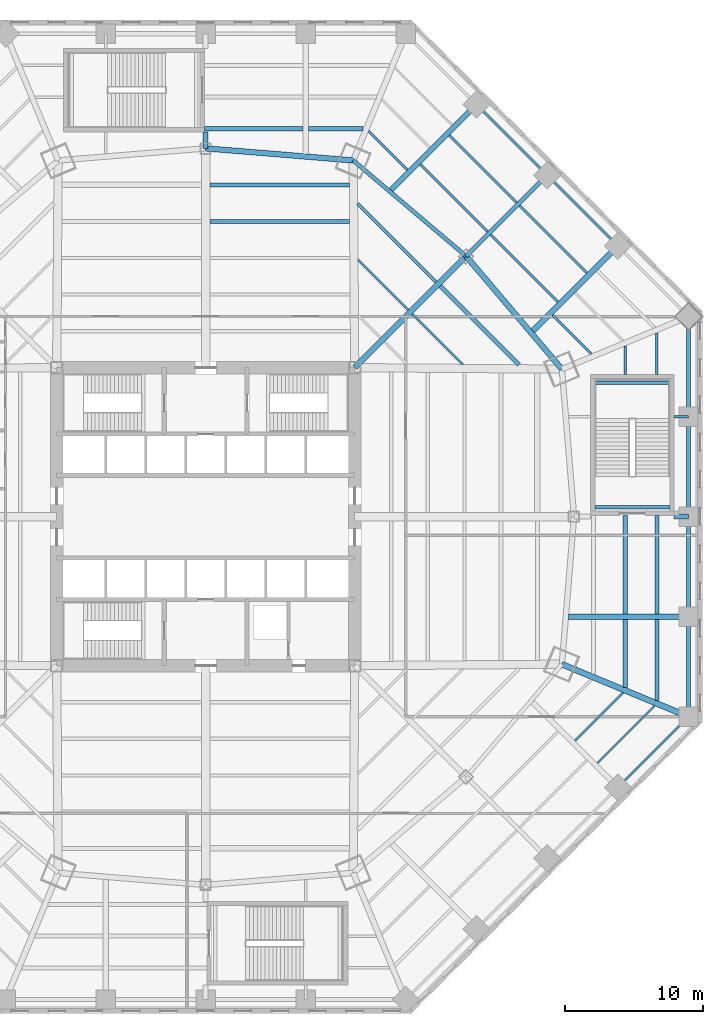
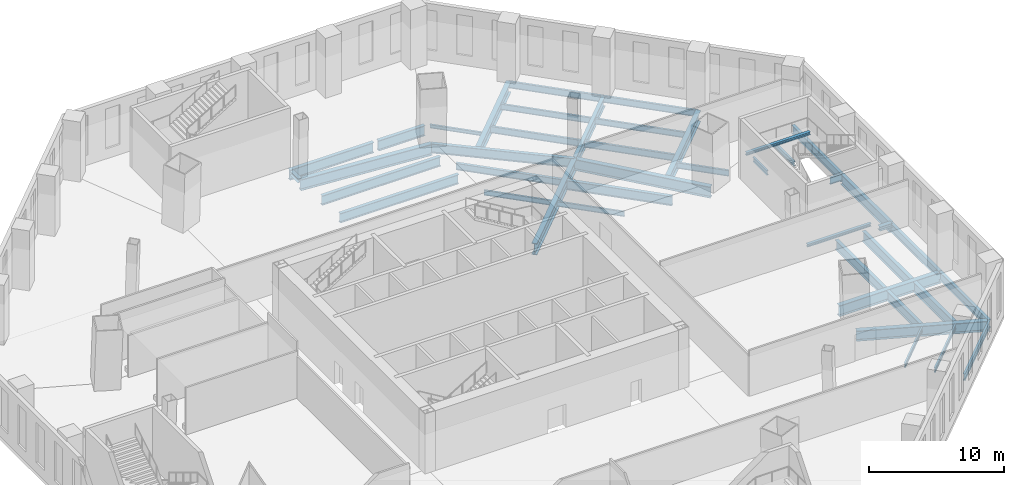
# One storey, part 5 of 18: 40 beams, 3 members.
"""IFC4 building model written with IfcOpenShell, lengths in metres."""

from ifc_helpers import new_model, si_unit, direction, frame, origin, origin_2d, place, context, subcontext, project, spatial, i_section, extrude, source, transform, mapped, material, material_profile, profile_set, type_object, type_shapes, element, save


model = new_model("IFC4")

# Units and contexts
model_context = context("Model", 3, precision=1e-05, world=origin(), true_north=direction((0.0, 1.0)))
body_context = subcontext(model_context, "Body", "Model", "MODEL_VIEW")
ifc_project = project(units=[si_unit("LENGTHUNIT", "METRE"), si_unit("AREAUNIT", "SQUARE_METRE"), si_unit("VOLUMEUNIT", "CUBIC_METRE"), si_unit("PLANEANGLEUNIT", "RADIAN"), si_unit("MASSUNIT", "GRAM", prefix="KILO")], contexts=[model_context])

# Site, building, storey
site_placement = place(None, origin())
site = spatial("IfcSite", under=ifc_project, at=site_placement, CompositionType="ELEMENT")
building_placement = place(site_placement, origin())
building = spatial("IfcBuilding", under=site, at=building_placement, Name="Mashrafa Tower", CompositionType="ELEMENT")
storey_placement = place(building_placement, frame((0.0, 0.0, 18.60009765625)))
storey = spatial("IfcBuildingStorey", under=building, at=storey_placement, Name="L03", CompositionType="ELEMENT", Elevation=18.60009765625)

# Beams
ifc_material_1 = material(Name="Steel ASTM A992", Category="steel")
ifc_material_profile_1 = material_profile(ifc_material_1, i_section(OverallWidth=0.164794921875, OverallDepth=0.309814453125, WebThickness=0.005859375, FlangeThickness=0.009765625, FilletRadius=0.007568359375, at=origin_2d()), Name="W12X26")
ifc_profile_set_1 = profile_set([ifc_material_profile_1], Name="Steel ASTM A992")
beam_type_1 = type_object("IfcBeamType", Name="Beam W12X26", PredefinedType="BEAM", material=ifc_profile_set_1)
beam_1_placement = place(storey_placement, frame((11.8056640625, 27.95361328125, -0.455078125), z_axis=(0.707106781187, -0.707106781187, 0.0), x_axis=(0.707106781187, 0.707106781187, 0.0)))
element("IfcBeam", 1, at=beam_1_placement, inside=storey, type_object=beam_type_1, Name="Floor beam L03 079", PredefinedType="BEAM", context=body_context, shape_type="SweptSolid", body=[
    extrude(i_section(OverallWidth=0.164794921875, OverallDepth=0.309814453125, WebThickness=0.005859375, FlangeThickness=0.009765625, FilletRadius=0.007568359375, at=origin_2d()), origin(), (0.0, 0.0, 1.0), 3.96875),
])
ifc_material_2 = material(Name="Steel ASTM A992", Category="steel")
ifc_material_profile_2 = material_profile(ifc_material_2, i_section(OverallWidth=0.140380859375, OverallDepth=0.40380859375, WebThickness=0.007080078125, FlangeThickness=0.01123046875, FilletRadius=0.01025390625, at=origin_2d()), Name="W16X31")
ifc_profile_set_2 = profile_set([ifc_material_profile_2], Name="Steel ASTM A992")
beam_type_2 = type_object("IfcBeamType", Name="Beam W16X31", PredefinedType="BEAM", material=ifc_profile_set_2)
beam_2_placement = place(storey_placement, frame((30.2490234375, -12.75634765625, -0.501953125), z_axis=(-0.707106781187, -0.707106781187, 0.0), x_axis=(0.707106781187, -0.707106781187, 0.0)))
element("IfcBeam", 2, at=beam_2_placement, inside=storey, type_object=beam_type_2, Name="Floor beam L03 119", PredefinedType="BEAM", context=body_context, shape_type="SweptSolid", body=[
    extrude(i_section(OverallWidth=0.140380859375, OverallDepth=0.40380859375, WebThickness=0.007080078125, FlangeThickness=0.01123046875, FilletRadius=0.01025390625, at=origin_2d()), origin(), (0.0, 0.0, 1.0), 4.919677734375),
])
beam_3_placement = place(storey_placement, frame((32.544189453125, -13.70703125, -0.501953125), z_axis=(-0.707085986681, -0.707127575081, 0.0), x_axis=(0.707127575081, -0.707085986681, 0.0)))
element("IfcBeam", 3, at=beam_3_placement, inside=storey, type_object=beam_type_2, Name="Floor beam L03 122", PredefinedType="BEAM", context=body_context, shape_type="SweptSolid", body=[
    extrude(i_section(OverallWidth=0.140380859375, OverallDepth=0.40380859375, WebThickness=0.007080078125, FlangeThickness=0.01123046875, FilletRadius=0.01025390625, at=origin_2d()), origin(), (0.0, 0.0, 1.0), 5.870361328125),
])
ifc_material_3 = material(Name="Steel ASTM A992", Category="steel")
ifc_material_profile_3 = material_profile(ifc_material_3, i_section(OverallWidth=0.177734375, OverallDepth=0.406494140625, WebThickness=0.0078125, FlangeThickness=0.012939453125, FilletRadius=0.01025390625, at=origin_2d()), Name="W16X40")
ifc_profile_set_3 = profile_set([ifc_material_profile_3], Name="Steel ASTM A992")
beam_type_3 = type_object("IfcBeamType", Name="Beam W16X40", PredefinedType="BEAM", material=ifc_profile_set_3)
beam_4_placement = place(storey_placement, frame((30.409423828125, 12.37890625, -0.50341796875), z_axis=(0.0, -1.0, 0.0), x_axis=(1.0, 0.0, 0.0)))
element("IfcBeam", 4, at=beam_4_placement, inside=storey, type_object=beam_type_3, Name="Floor beam L03 121", PredefinedType="BEAM", context=body_context, shape_type="SweptSolid", body=[
    extrude(i_section(OverallWidth=0.177734375, OverallDepth=0.406494140625, WebThickness=0.0078125, FlangeThickness=0.012939453125, FilletRadius=0.01025390625, at=origin_2d()), origin(), (0.0, 0.0, 1.0), 2.078857421875),
])
beam_5_placement = place(storey_placement, frame((32.70458984375, 13.32958984375, -0.50341796875), z_axis=(0.0, -1.0, 0.0), x_axis=(1.0, 0.0, 0.0)))
element("IfcBeam", 5, at=beam_5_placement, inside=storey, type_object=beam_type_3, Name="Floor beam L03 124", PredefinedType="BEAM", context=body_context, shape_type="SweptSolid", body=[
    extrude(i_section(OverallWidth=0.177734375, OverallDepth=0.406494140625, WebThickness=0.0078125, FlangeThickness=0.012939453125, FilletRadius=0.01025390625, at=origin_2d()), origin(), (0.0, 0.0, 1.0), 3.029541015625),
])
ifc_material_4 = material(Name="Steel ASTM A992", Category="steel")
ifc_material_profile_4 = material_profile(ifc_material_4, i_section(OverallWidth=0.15234375, OverallDepth=0.449462890625, WebThickness=0.007568359375, FlangeThickness=0.0107421875, FilletRadius=0.01025390625, at=origin_2d()), Name="W18X35")
ifc_profile_set_4 = profile_set([ifc_material_profile_4], Name="Steel ASTM A992")
beam_type_4 = type_object("IfcBeamType", Name="Beam W18X35", PredefinedType="BEAM", material=ifc_profile_set_4)
for number, where, z_axis, x_axis, name in (
    (6, (11.044921875, 18.6328125, -0.52490234375), (0.707106781187, -0.707106781187, 0.0), (0.707106781187, 0.707106781187, 0.0), "Floor beam L03 074"),
    (7, (14.9833984375, 14.6943359375, -0.52490234375), (0.707106781187, -0.707106781187, 0.0), (0.707106781187, 0.707106781187, 0.0), "Floor beam L03 090"),
):
    element("IfcBeam", number, at=place(storey_placement, frame(where, z_axis=z_axis, x_axis=x_axis)), inside=storey, type_object=beam_type_4, Name=name, PredefinedType="BEAM", context=body_context, shape_type="SweptSolid", body=[
        extrude(i_section(OverallWidth=0.15234375, OverallDepth=0.449462890625, WebThickness=0.007568359375, FlangeThickness=0.0107421875, FilletRadius=0.01025390625, at=origin_2d()), origin(), (0.0, 0.0, 1.0), 5.1611328125),
    ])
ifc_material_5 = material(Name="Steel ASTM A992", Category="steel")
ifc_material_profile_5 = material_profile(ifc_material_5, i_section(OverallWidth=0.1650390625, OverallDepth=0.52587890625, WebThickness=0.0087890625, FlangeThickness=0.011474609375, FilletRadius=0.0126953125, at=origin_2d()), Name="W21X44")
ifc_profile_set_5 = profile_set([ifc_material_profile_5], Name="Steel ASTM A992")
beam_type_5 = type_object("IfcBeamType", Name="Beam W21X44", PredefinedType="BEAM", material=ifc_profile_set_5)
for number, where, z_axis, x_axis, name in (
    (8, (17.667724609375, 27.63525390625, -0.56298828125), (0.707089075409, -0.707124486521, 0.0), (0.707124486521, 0.707089075409, 0.0), "Floor beam L03 098"),
    (9, (22.760009765625, 22.542724609375, -0.56298828125), (0.707124486521, -0.707089075409, 0.0), (0.707089075409, 0.707124486521, 0.0), "Floor beam L03 108"),
):
    element("IfcBeam", number, at=place(storey_placement, frame(where, z_axis=z_axis, x_axis=x_axis)), inside=storey, type_object=beam_type_5, Name=name, PredefinedType="BEAM", context=body_context, shape_type="SweptSolid", body=[
        extrude(i_section(OverallWidth=0.1650390625, OverallDepth=0.52587890625, WebThickness=0.0087890625, FlangeThickness=0.011474609375, FilletRadius=0.0126953125, at=origin_2d()), origin(), (0.0, 0.0, 1.0), 6.89453125),
    ])
ifc_material_6 = material(Name="Steel ASTM A992", Category="steel")
ifc_material_profile_6 = material_profile(ifc_material_6, i_section(OverallWidth=0.165771484375, OverallDepth=0.5283203125, WebThickness=0.009765625, FlangeThickness=0.013671875, FilletRadius=0.012939453125, at=origin_2d()), Name="W21X50")
ifc_profile_set_6 = profile_set([ifc_material_profile_6], Name="Steel ASTM A992")
beam_type_6 = type_object("IfcBeamType", Name="Beam W21X50", PredefinedType="BEAM", material=ifc_profile_set_6)
beam_6_placement = place(storey_placement, frame((25.147216796875, 14.612060546875, -0.564208984375), z_axis=(0.707106781187, -0.707106781187, 0.0), x_axis=(0.707106781187, 0.707106781187, 0.0)))
element("IfcBeam", 10, at=beam_6_placement, inside=storey, type_object=beam_type_6, Name="Floor beam L03 112", PredefinedType="BEAM", context=body_context, shape_type="SweptSolid", body=[
    extrude(i_section(OverallWidth=0.165771484375, OverallDepth=0.5283203125, WebThickness=0.009765625, FlangeThickness=0.013671875, FilletRadius=0.012939453125, at=origin_2d()), origin(), (0.0, 0.0, 1.0), 3.978515625),
])
ifc_material_7 = material(Name="Steel ASTM A992", Category="steel")
ifc_material_profile_7 = material_profile(ifc_material_7, i_section(OverallWidth=0.177978515625, OverallDepth=0.599365234375, WebThickness=0.010009765625, FlangeThickness=0.012939453125, FilletRadius=0.012939453125, at=origin_2d()), Name="W24X55")
ifc_profile_set_7 = profile_set([ifc_material_profile_7], Name="Steel ASTM A992")
beam_type_7 = type_object("IfcBeamType", Name="Beam W24X55", PredefinedType="BEAM", material=ifc_profile_set_7)
for number, where, z_axis, x_axis, name in (
    (11, (15.5703125, 25.537841796875, -0.599853515625), (0.707106781187, -0.707106781187, 0.0), (0.707106781187, 0.707106781187, 0.0), "Floor beam L03 092"),
    (12, (20.662841796875, 20.4453125, -0.599853515625), (0.707106781187, -0.707106781187, 0.0), (0.707106781187, 0.707106781187, 0.0), "Floor beam L03 104"),
):
    element("IfcBeam", number, at=place(storey_placement, frame(where, z_axis=z_axis, x_axis=x_axis)), inside=storey, type_object=beam_type_7, Name=name, PredefinedType="BEAM", context=body_context, shape_type="SweptSolid", body=[
        extrude(i_section(OverallWidth=0.177978515625, OverallDepth=0.599365234375, WebThickness=0.010009765625, FlangeThickness=0.012939453125, FilletRadius=0.012939453125, at=origin_2d()), origin(), (0.0, 0.0, 1.0), 6.894287109375),
    ])
beam_7_placement = place(storey_placement, frame((24.748779296875, 24.748779296875, -0.599853515625), z_axis=(-0.707106781187, 0.707106781187, 0.0), x_axis=(-0.707106781187, -0.707106781187, 0.0)))
element("IfcBeam", 13, at=beam_7_placement, inside=storey, type_object=beam_type_7, Name="Podium edge beam L03 149", PredefinedType="BEAM", context=body_context, shape_type="SweptSolid", body=[
    extrude(i_section(OverallWidth=0.177978515625, OverallDepth=0.599365234375, WebThickness=0.010009765625, FlangeThickness=0.012939453125, FilletRadius=0.012939453125, at=origin_2d()), origin(), (0.0, 0.0, 1.0), 7.248779296875),
])
beam_8_placement = place(storey_placement, frame((29.87451171875, -19.623046875, -0.599853515625), z_axis=(0.707106781187, 0.707106781187, 0.0), x_axis=(-0.707106781187, 0.707106781187, 0.0)))
element("IfcBeam", 14, at=beam_8_placement, inside=storey, type_object=beam_type_7, Name="Podium edge beam L03 150", PredefinedType="BEAM", context=body_context, shape_type="SweptSolid", body=[
    extrude(i_section(OverallWidth=0.177978515625, OverallDepth=0.599365234375, WebThickness=0.010009765625, FlangeThickness=0.012939453125, FilletRadius=0.012939453125, at=origin_2d()), origin(), (0.0, 0.0, 1.0), 7.24853515625),
])
beam_9_placement = place(storey_placement, frame((29.87451171875, 19.623046875, -0.599853515625), z_axis=(-0.707106781187, 0.707106781187, 0.0), x_axis=(-0.707106781187, -0.707106781187, 0.0)))
element("IfcBeam", 15, at=beam_9_placement, inside=storey, type_object=beam_type_7, Name="Podium edge beam L03 151", PredefinedType="BEAM", context=body_context, shape_type="SweptSolid", body=[
    extrude(i_section(OverallWidth=0.177978515625, OverallDepth=0.599365234375, WebThickness=0.010009765625, FlangeThickness=0.012939453125, FilletRadius=0.012939453125, at=origin_2d()), origin(), (0.0, 0.0, 1.0), 7.248779296875),
])
ifc_material_8 = material(Name="Steel ASTM A992", Category="steel")
ifc_material_profile_8 = material_profile(ifc_material_8, i_section(OverallWidth=0.227783203125, OverallDepth=0.60205078125, WebThickness=0.010498046875, FlangeThickness=0.014892578125, FilletRadius=0.012939453125, at=origin_2d()), Name="W24X68")
ifc_profile_set_8 = profile_set([ifc_material_profile_8], Name="Steel ASTM A992")
beam_type_8 = type_object("IfcBeamType", Name="Beam W24X68", PredefinedType="BEAM", material=ifc_profile_set_8)
beam_10_placement = place(storey_placement, frame((11.016357421875, 22.7001953125, -0.60107421875), z_axis=(0.707106781187, -0.707106781187, 0.0), x_axis=(0.707106781187, 0.707106781187, 0.0)))
element("IfcBeam", 16, at=beam_10_placement, inside=storey, type_object=beam_type_8, Name="Floor beam L03 072", PredefinedType="BEAM", context=body_context, shape_type="SweptSolid", body=[
    extrude(i_section(OverallWidth=0.227783203125, OverallDepth=0.60205078125, WebThickness=0.010498046875, FlangeThickness=0.014892578125, FilletRadius=0.012939453125, at=origin_2d()), origin(), (0.0, 0.0, 1.0), 8.05712890625),
])
ifc_material_9 = material(Name="Steel ASTM A992", Category="steel")
ifc_material_profile_9 = material_profile(ifc_material_9, i_section(OverallWidth=0.2666015625, OverallDepth=0.75439453125, WebThickness=0.01318359375, FlangeThickness=0.01708984375, FilletRadius=0.0166015625, at=origin_2d()), Name="W30X99")
ifc_profile_set_9 = profile_set([ifc_material_profile_9], Name="Steel ASTM A992")
beam_type_9 = type_object("IfcBeamType", Name="Beam W30X99", PredefinedType="BEAM", material=ifc_profile_set_9)
for number, where, z_axis, x_axis, name in (
    (17, (35.0, -14.49755859375, -0.67724609375), (0.0, 1.0, 0.0), (-1.0, 0.0, 0.0), "Podium edge beam L03 152"),
    (18, (35.0, -7.248779296875, -0.67724609375), (0.0, 1.0, 0.0), (-1.0, 0.0, 0.0), "Podium edge beam L03 153"),
    (19, (35.0, 7.248779296875, -0.67724609375), (0.0, 1.0, 0.0), (-1.0, 0.0, 0.0), "Podium edge beam L03 155"),
):
    element("IfcBeam", number, at=place(storey_placement, frame(where, z_axis=z_axis, x_axis=x_axis)), inside=storey, type_object=beam_type_9, Name=name, PredefinedType="BEAM", context=body_context, shape_type="SweptSolid", body=[
        extrude(i_section(OverallWidth=0.2666015625, OverallDepth=0.75439453125, WebThickness=0.01318359375, FlangeThickness=0.01708984375, FilletRadius=0.0166015625, at=origin_2d()), origin(), (0.0, 0.0, 1.0), 7.248779296875),
    ])
ifc_material_10 = material(Name="Steel ASTM A992", Category="steel")
ifc_material_profile_10 = material_profile(ifc_material_10, i_section(OverallWidth=0.2919921875, OverallDepth=0.8408203125, WebThickness=0.0146484375, FlangeThickness=0.021728515625, FilletRadius=0.017333984375, at=origin_2d()), Name="W33X130")
ifc_profile_set_10 = profile_set([ifc_material_profile_10], Name="Steel ASTM A992")
beam_type_10 = type_object("IfcBeamType", Name="Beam W33X130", PredefinedType="BEAM", material=ifc_profile_set_10)
beam_11_placement = place(storey_placement, frame((17.0029296875, 16.713623046875, -0.720458984375), z_axis=(0.707106781187, -0.707106781187, 0.0), x_axis=(0.707106781187, 0.707106781187, 0.0)))
element("IfcBeam", 20, at=beam_11_placement, inside=storey, type_object=beam_type_10, Name="Floor beam L03 097", PredefinedType="BEAM", context=body_context, shape_type="SweptSolid", body=[
    extrude(i_section(OverallWidth=0.2919921875, OverallDepth=0.8408203125, WebThickness=0.0146484375, FlangeThickness=0.021728515625, FilletRadius=0.017333984375, at=origin_2d()), origin(), (0.0, 0.0, 1.0), 8.05712890625),
])
beam_12_placement = place(storey_placement, frame((18.877685546875, 18.877685546875, -0.720458984375), z_axis=(-0.762604702856, 0.646864798225, 0.0), x_axis=(-0.646864798225, -0.762604702856, 0.0)))
element("IfcBeam", 21, at=beam_12_placement, inside=storey, type_object=beam_type_10, Name="Podium ring girder L03 209", PredefinedType="BEAM", context=body_context, shape_type="SweptSolid", body=[
    extrude(i_section(OverallWidth=0.2919921875, OverallDepth=0.8408203125, WebThickness=0.0146484375, FlangeThickness=0.021728515625, FilletRadius=0.017333984375, at=origin_2d()), origin(), (0.0, 0.0, 1.0), 10.73046875),
])
ifc_material_11 = material(Name="Steel ASTM A992", Category="steel")
ifc_material_profile_11 = material_profile(ifc_material_11, i_section(OverallWidth=0.2919921875, OverallDepth=0.845703125, WebThickness=0.015380859375, FlangeThickness=0.0244140625, FilletRadius=0.017333984375, at=origin_2d()), Name="W33X141")
ifc_profile_set_11 = profile_set([ifc_material_profile_11], Name="Steel ASTM A992")
beam_type_11 = type_object("IfcBeamType", Name="Beam W33X141", PredefinedType="BEAM", material=ifc_profile_set_11)
beam_13_placement = place(storey_placement, frame((0.300048828125, 21.39794921875, -0.722900390625), z_axis=(1.0, 0.0, 0.0), x_axis=(0.0, 1.0, 0.0)))
element("IfcBeam", 22, at=beam_13_placement, inside=storey, type_object=beam_type_11, Name="Floor beam L03 066", PredefinedType="BEAM", context=body_context, shape_type="SweptSolid", body=[
    extrude(i_section(OverallWidth=0.2919921875, OverallDepth=0.845703125, WebThickness=0.015380859375, FlangeThickness=0.0244140625, FilletRadius=0.017333984375, at=origin_2d()), origin(), (0.0, 0.0, 1.0), 10.12548828125),
])
ifc_material_12 = material(Name="Steel ASTM A992", Category="steel")
ifc_material_profile_12 = material_profile(ifc_material_12, i_section(OverallWidth=0.2919921875, OverallDepth=0.8583984375, WebThickness=0.01708984375, FlangeThickness=0.031005859375, FilletRadius=0.017822265625, at=origin_2d()), Name="W33X169")
ifc_profile_set_12 = profile_set([ifc_material_profile_12], Name="Steel ASTM A992")
beam_type_12 = type_object("IfcBeamType", Name="Beam W33X169", PredefinedType="BEAM", material=ifc_profile_set_12)
beam_14_placement = place(storey_placement, frame((0.300048828125, 24.047607421875, -0.729248046875), z_axis=(1.0, 0.0, 0.0), x_axis=(0.0, 1.0, 0.0)))
element("IfcBeam", 23, at=beam_14_placement, inside=storey, type_object=beam_type_12, Name="Floor beam L03 067", PredefinedType="BEAM", context=body_context, shape_type="SweptSolid", body=[
    extrude(i_section(OverallWidth=0.2919921875, OverallDepth=0.8583984375, WebThickness=0.01708984375, FlangeThickness=0.031005859375, FilletRadius=0.017822265625, at=origin_2d()), origin(), (0.0, 0.0, 1.0), 10.10693359375),
])
beam_15_placement = place(storey_placement, frame((30.409423828125, 0.10009765625, -0.729248046875), z_axis=(0.0, -1.0, 0.0), x_axis=(1.0, 0.0, 0.0)))
element("IfcBeam", 24, at=beam_15_placement, inside=storey, type_object=beam_type_12, Name="Floor beam L03 120 part 1", PredefinedType="BEAM", context=body_context, shape_type="SweptSolid", body=[
    extrude(i_section(OverallWidth=0.2919921875, OverallDepth=0.8583984375, WebThickness=0.01708984375, FlangeThickness=0.031005859375, FilletRadius=0.017822265625, at=origin_2d()), origin(), (0.0, 0.0, 1.0), 7.148193359375),
])
beam_16_placement = place(storey_placement, frame((30.409423828125, -7.449462890625, -0.729248046875), z_axis=(0.0, -1.0, 0.0), x_axis=(1.0, 0.0, 0.0)))
element("IfcBeam", 25, at=beam_16_placement, inside=storey, type_object=beam_type_12, Name="Floor beam L03 120 part 2", PredefinedType="BEAM", context=body_context, shape_type="SweptSolid", body=[
    extrude(i_section(OverallWidth=0.2919921875, OverallDepth=0.8583984375, WebThickness=0.01708984375, FlangeThickness=0.031005859375, FilletRadius=0.017822265625, at=origin_2d()), origin(), (0.0, 0.0, 1.0), 4.919677734375),
])
ifc_material_13 = material(Name="Steel ASTM A992", Category="steel")
ifc_material_profile_13 = material_profile(ifc_material_13, i_section(OverallWidth=0.3046875, OverallDepth=0.911865234375, WebThickness=0.015869140625, FlangeThickness=0.02392578125, FilletRadius=0.01904296875, at=origin_2d()), Name="W36X150")
ifc_profile_set_13 = profile_set([ifc_material_profile_13], Name="Steel ASTM A992")
beam_type_13 = type_object("IfcBeamType", Name="Beam W36X150", PredefinedType="BEAM", material=ifc_profile_set_13)
beam_17_placement = place(storey_placement, frame((35.0, 0.0, -0.756103515625), z_axis=(0.0, 1.0, 0.0), x_axis=(-1.0, 0.0, 0.0)))
element("IfcBeam", 26, at=beam_17_placement, inside=storey, type_object=beam_type_13, Name="Podium edge beam L03 154", PredefinedType="BEAM", context=body_context, shape_type="SweptSolid", body=[
    extrude(i_section(OverallWidth=0.3046875, OverallDepth=0.911865234375, WebThickness=0.015869140625, FlangeThickness=0.02392578125, FilletRadius=0.01904296875, at=origin_2d()), origin(), (0.0, 0.0, 1.0), 7.248779296875),
])
ifc_material_14 = material(Name="Steel ASTM A992", Category="steel")
ifc_material_profile_14 = material_profile(ifc_material_14, i_section(OverallWidth=0.307373046875, OverallDepth=0.927001953125, WebThickness=0.01953125, FlangeThickness=0.031982421875, FilletRadius=0.01904296875, at=origin_2d()), Name="W36X194")
ifc_profile_set_14 = profile_set([ifc_material_profile_14], Name="Steel ASTM A992")
beam_type_14 = type_object("IfcBeamType", Name="Beam W36X194", PredefinedType="BEAM", material=ifc_profile_set_14)
beam_18_placement = place(storey_placement, frame((-0.10009765625, 28.114013671875, -0.763671875), z_axis=(1.0, 0.0, 0.0), x_axis=(0.0, 1.0, 0.0)))
element("IfcBeam", 27, at=beam_18_placement, inside=storey, type_object=beam_type_14, Name="Floor beam L03 055 part 1", PredefinedType="BEAM", context=body_context, shape_type="SweptSolid", body=[
    extrude(i_section(OverallWidth=0.307373046875, OverallDepth=0.927001953125, WebThickness=0.01953125, FlangeThickness=0.031982421875, FilletRadius=0.01904296875, at=origin_2d()), origin(), (0.0, 0.0, 1.0), 7.148193359375),
])
beam_19_placement = place(storey_placement, frame((7.449462890625, 28.114013671875, -0.763671875), z_axis=(1.0, 0.0, 0.0), x_axis=(0.0, 1.0, 0.0)))
element("IfcBeam", 28, at=beam_19_placement, inside=storey, type_object=beam_type_14, Name="Floor beam L03 055 part 2", PredefinedType="BEAM", context=body_context, shape_type="SweptSolid", body=[
    extrude(i_section(OverallWidth=0.307373046875, OverallDepth=0.927001953125, WebThickness=0.01953125, FlangeThickness=0.031982421875, FilletRadius=0.01904296875, at=origin_2d()), origin(), (0.0, 0.0, 1.0), 3.968994140625),
])
beam_20_placement = place(storey_placement, frame((32.70458984375, 0.10009765625, -0.763671875), z_axis=(0.0, -1.0, 0.0), x_axis=(1.0, 0.0, 0.0)))
element("IfcBeam", 29, at=beam_20_placement, inside=storey, type_object=beam_type_14, Name="Floor beam L03 123 part 1", PredefinedType="BEAM", context=body_context, shape_type="SweptSolid", body=[
    extrude(i_section(OverallWidth=0.307373046875, OverallDepth=0.927001953125, WebThickness=0.01953125, FlangeThickness=0.031982421875, FilletRadius=0.01904296875, at=origin_2d()), origin(), (0.0, 0.0, 1.0), 7.148193359375),
])
beam_21_placement = place(storey_placement, frame((32.70458984375, -7.449462890625, -0.763671875), z_axis=(0.0, -1.0, 0.0), x_axis=(1.0, 0.0, 0.0)))
element("IfcBeam", 30, at=beam_21_placement, inside=storey, type_object=beam_type_14, Name="Floor beam L03 123 part 2", PredefinedType="BEAM", context=body_context, shape_type="SweptSolid", body=[
    extrude(i_section(OverallWidth=0.307373046875, OverallDepth=0.927001953125, WebThickness=0.01953125, FlangeThickness=0.031982421875, FilletRadius=0.01904296875, at=origin_2d()), origin(), (0.0, 0.0, 1.0), 5.87060546875),
])
beam_22_placement = place(storey_placement, frame((18.877685546875, 18.877685546875, -0.763671875), z_axis=(0.707106781187, 0.707106781187, 0.0), x_axis=(-0.707106781187, 0.707106781187, 0.0)))
element("IfcBeam", 31, at=beam_22_placement, inside=storey, type_object=beam_type_14, Name="Podium radial beam L03 187", PredefinedType="BEAM", context=body_context, shape_type="SweptSolid", body=[
    extrude(i_section(OverallWidth=0.307373046875, OverallDepth=0.927001953125, WebThickness=0.01953125, FlangeThickness=0.031982421875, FilletRadius=0.01904296875, at=origin_2d()), origin(), (0.0, 0.0, 1.0), 8.302978515625),
])
ifc_material_15 = material(Name="Steel ASTM A992", Category="steel")
ifc_material_profile_15 = material_profile(ifc_material_15, i_section(OverallWidth=0.419189453125, OverallDepth=0.927001953125, WebThickness=0.019287109375, FlangeThickness=0.031982421875, FilletRadius=0.020263671875, at=origin_2d()), Name="W36X231")
ifc_profile_set_15 = profile_set([ifc_material_profile_15], Name="Steel ASTM A992")
beam_type_15 = type_object("IfcBeamType", Name="Beam W36X231", PredefinedType="BEAM", material=ifc_profile_set_15)
beam_23_placement = place(storey_placement, frame((25.81884765625, -10.694580078125, -0.763671875), z_axis=(0.92387879618, -0.382685210022, 0.0), x_axis=(0.382685210022, 0.92387879618, 0.0)))
element("IfcBeam", 32, at=beam_23_placement, inside=storey, type_object=beam_type_15, Name="Podium radial beam L03 190", PredefinedType="BEAM", context=body_context, shape_type="SweptSolid", body=[
    extrude(i_section(OverallWidth=0.419189453125, OverallDepth=0.927001953125, WebThickness=0.019287109375, FlangeThickness=0.031982421875, FilletRadius=0.020263671875, at=origin_2d()), origin(), (0.0, 0.0, 1.0), 9.9375),
])
ifc_material_16 = material(Name="Steel ASTM A992", Category="steel")
ifc_material_profile_16 = material_profile(ifc_material_16, i_section(OverallWidth=0.4013671875, OverallDepth=0.98291015625, WebThickness=0.0166015625, FlangeThickness=0.027099609375, FilletRadius=0.0126953125, at=origin_2d()), Name="W40X199")
ifc_profile_set_16 = profile_set([ifc_material_profile_16], Name="Steel ASTM A992")
beam_type_16 = type_object("IfcBeamType", Name="Beam W40X199", PredefinedType="BEAM", material=ifc_profile_set_16)
beam_24_placement = place(storey_placement, frame((13.434814453125, 23.68603515625, -0.79150390625), z_axis=(0.707092832794, 0.707120729304, 0.0), x_axis=(-0.707120729304, 0.707092832794, 0.0)))
element("IfcBeam", 33, at=beam_24_placement, inside=storey, type_object=beam_type_16, Name="Podium radial beam L03 185", PredefinedType="BEAM", context=body_context, shape_type="SweptSolid", body=[
    extrude(i_section(OverallWidth=0.4013671875, OverallDepth=0.98291015625, WebThickness=0.0166015625, FlangeThickness=0.027099609375, FilletRadius=0.0126953125, at=origin_2d()), origin(), (0.0, 0.0, 1.0), 8.751708984375),
])
for number, where, z_axis, x_axis, name in (
    (34, (23.724853515625, 13.473388671875, -0.79150390625), (0.707106781187, 0.707106781187, 0.0), (-0.707106781187, 0.707106781187, 0.0), "Podium radial beam L03 189"),
    (35, (26.302978515625, -7.248779296875, -0.79150390625), (1.0, 0.0, 0.0), (0.0, 1.0, 0.0), "Podium radial beam L03 192"),
):
    element("IfcBeam", number, at=place(storey_placement, frame(where, z_axis=z_axis, x_axis=x_axis)), inside=storey, type_object=beam_type_16, Name=name, PredefinedType="BEAM", context=body_context, shape_type="SweptSolid", body=[
        extrude(i_section(OverallWidth=0.4013671875, OverallDepth=0.98291015625, WebThickness=0.0166015625, FlangeThickness=0.027099609375, FilletRadius=0.0126953125, at=origin_2d()), origin(), (0.0, 0.0, 1.0), 8.697021484375),
    ])
ifc_material_17 = material(Name="Steel ASTM A992", Category="steel")
ifc_material_profile_17 = material_profile(ifc_material_17, i_section(OverallWidth=0.4013671875, OverallDepth=1.010986328125, WebThickness=0.023681640625, FlangeThickness=0.0419921875, FilletRadius=0.02001953125, at=origin_2d()), Name="W40X297")
ifc_profile_set_17 = profile_set([ifc_material_profile_17], Name="Steel ASTM A992")
beam_type_17 = type_object("IfcBeamType", Name="Beam W40X297", PredefinedType="BEAM", material=ifc_profile_set_17)
for number, where, z_axis, x_axis, name in (
    (36, (10.694580078125, 25.81884765625, -0.8056640625), (-0.996645606309, 0.081838471542, 0.0), (-0.081838471542, -0.996645606309, 0.0), "Podium ring girder L03 207"),
    (37, (25.81884765625, 10.694580078125, -0.8056640625), (-0.646864798225, 0.762604702856, 0.0), (-0.762604702856, -0.646864798225, 0.0), "Podium ring girder L03 211"),
):
    element("IfcBeam", number, at=place(storey_placement, frame(where, z_axis=z_axis, x_axis=x_axis)), inside=storey, type_object=beam_type_17, Name=name, PredefinedType="BEAM", context=body_context, shape_type="SweptSolid", body=[
        extrude(i_section(OverallWidth=0.4013671875, OverallDepth=1.010986328125, WebThickness=0.023681640625, FlangeThickness=0.0419921875, FilletRadius=0.02001953125, at=origin_2d()), origin(), (0.0, 0.0, 1.0), 10.73046875),
    ])
ifc_material_18 = material(Name="Steel ASTM A992", Category="steel")
ifc_material_profile_18 = material_profile(ifc_material_18, i_section(OverallWidth=0.408935546875, OverallDepth=1.04150390625, WebThickness=0.031005859375, FlangeThickness=0.055908203125, FilletRadius=0.020263671875, at=origin_2d()), Name="W40X397")
ifc_profile_set_18 = profile_set([ifc_material_profile_18], Name="Steel ASTM A992")
beam_type_18 = type_object("IfcBeamType", Name="Beam W40X397", PredefinedType="BEAM", material=ifc_profile_set_18)
beam_25_placement = place(storey_placement, frame((10.800048828125, 10.800048828125, -0.82080078125), z_axis=(0.707106781187, 0.707106781187, 0.0), x_axis=(-0.707106781187, 0.707106781187, 0.0)))
element("IfcBeam", 38, at=beam_25_placement, inside=storey, type_object=beam_type_18, Name="Radial girder L03 227", PredefinedType="BEAM", context=body_context, shape_type="SweptSolid", body=[
    extrude(i_section(OverallWidth=0.408935546875, OverallDepth=1.04150390625, WebThickness=0.031005859375, FlangeThickness=0.055908203125, FilletRadius=0.020263671875, at=origin_2d()), origin(), (0.0, 0.0, 1.0), 11.423583984375),
])
ifc_material_19 = material(Name="Steel ASTM A992", Category="steel")
ifc_material_profile_19 = material_profile(ifc_material_19, i_section(OverallWidth=0.25390625, OverallDepth=0.25390625, WebThickness=0.008544921875, FlangeThickness=0.01416015625, FilletRadius=0.010009765625, at=origin_2d()), Name="W10X49")
ifc_profile_set_19 = profile_set([ifc_material_profile_19], Name="Steel ASTM A992")
beam_type_19 = type_object("IfcBeamType", Name="Hoistway beam W10X49", PredefinedType="BEAM", material=ifc_profile_set_19)
for number, where, z_axis, x_axis, name in (
    (39, (28.199951171875, 0.699951171875, -0.427001953125), (1.0, 0.0, 0.0), (0.0, 1.0, 0.0), "Stair P1 landing beam L03"),
    (40, (28.199951171875, 9.699951171875, 2.372802734375), (1.0, 0.0, 0.0), (0.0, 1.0, 0.0), "Stair P1 landing beam L03"),
):
    element("IfcBeam", number, at=place(storey_placement, frame(where, z_axis=z_axis, x_axis=x_axis)), inside=storey, type_object=beam_type_19, Name=name, PredefinedType="BEAM", context=body_context, shape_type="SweptSolid", body=[
        extrude(i_section(OverallWidth=0.25390625, OverallDepth=0.25390625, WebThickness=0.008544921875, FlangeThickness=0.01416015625, FilletRadius=0.010009765625, at=origin_2d()), origin(), (0.0, 0.0, 1.0), 5.449951171875),
    ])

# Members
ifc_material_20 = material(Name="Steel ASTM A992", Category="steel")
ifc_material_profile_20 = material_profile(ifc_material_20, i_section(OverallWidth=0.177978515625, OverallDepth=0.599365234375, WebThickness=0.010009765625, FlangeThickness=0.012939453125, FilletRadius=0.012939453125, at=origin_2d()), Name="W24X55")
ifc_profile_set_20 = profile_set([ifc_material_profile_20], Name="Steel ASTM A992")
member_type_1 = type_object("IfcMemberType", Name="Tie strut W24X55", PredefinedType="STRUT", material=ifc_profile_set_20)
shared_shape_1 = source(origin(), body_context, "Body", "SweptSolid", [
    extrude(i_section(OverallWidth=0.177978515625, OverallDepth=0.599365234375, WebThickness=0.010009765625, FlangeThickness=0.012939453125, FilletRadius=0.012939453125, at=origin_2d()), origin(), (0.0, 0.0, 1.0), 1.050048828125),
])
type_shapes(member_type_1, [shared_shape_1])
member_1_placement = place(storey_placement, frame((33.949951171875, 7.248779296875, -0.599853515625), z_axis=(1.0, 0.0, 0.0), x_axis=(0.0, 1.0, 0.0)))
element("IfcMember", 41, at=member_1_placement, inside=storey, type_object=member_type_1, Name="Tie strut L03 196", PredefinedType="STRUT", context=body_context, shape_type="MappedRepresentation", body=[
    mapped(shared_shape_1, transform((0.0, 0.0, 0.0))),
])
ifc_material_21 = material(Name="Steel ASTM A992", Category="steel")
ifc_material_profile_21 = material_profile(ifc_material_21, i_section(OverallWidth=0.368408203125, OverallDepth=0.355712890625, WebThickness=0.01123046875, FlangeThickness=0.01806640625, FilletRadius=0.01513671875, at=origin_2d()), Name="W14X90")
ifc_profile_set_21 = profile_set([ifc_material_profile_21], Name="Steel ASTM A992")
member_type_2 = type_object("IfcMemberType", Name="Tie strut W14X90", PredefinedType="STRUT", material=ifc_profile_set_21)
shared_shape_2 = source(origin(), body_context, "Body", "SweptSolid", [
    extrude(i_section(OverallWidth=0.368408203125, OverallDepth=0.355712890625, WebThickness=0.01123046875, FlangeThickness=0.01806640625, FilletRadius=0.01513671875, at=origin_2d()), origin(), (0.0, 0.0, 1.0), 1.050048828125),
])
member_2_placement = place(storey_placement, frame((33.949951171875, 0.0, -0.477783203125), z_axis=(1.0, 0.0, 0.0), x_axis=(0.0, 1.0, 0.0)))
element("IfcMember", 42, at=member_2_placement, inside=storey, type_object=member_type_2, Name="Tie strut L03 195", PredefinedType="STRUT", context=body_context, shape_type="MappedRepresentation", body=[
    mapped(shared_shape_2, transform((0.0, 0.0, 0.0))),
])
shared_shape_3 = source(origin(), body_context, "Body", "SweptSolid", [
    extrude(i_section(OverallWidth=0.368408203125, OverallDepth=0.355712890625, WebThickness=0.01123046875, FlangeThickness=0.01806640625, FilletRadius=0.01513671875, at=origin_2d()), origin(), (0.0, 0.0, 1.0), 1.202880859375),
])
type_shapes(member_type_2, [shared_shape_2, shared_shape_3])
member_3_placement = place(storey_placement, frame((0.0, 26.697021484375, -0.477783203125), z_axis=(0.0, 1.0, 0.0), x_axis=(-1.0, 0.0, 0.0)))
element("IfcMember", 43, at=member_3_placement, inside=storey, type_object=member_type_2, Name="Tie strut L03 177", PredefinedType="STRUT", context=body_context, shape_type="MappedRepresentation", body=[
    mapped(shared_shape_3, transform((0.0, 0.0, 0.0))),
])

save(model, "model.ifc")
